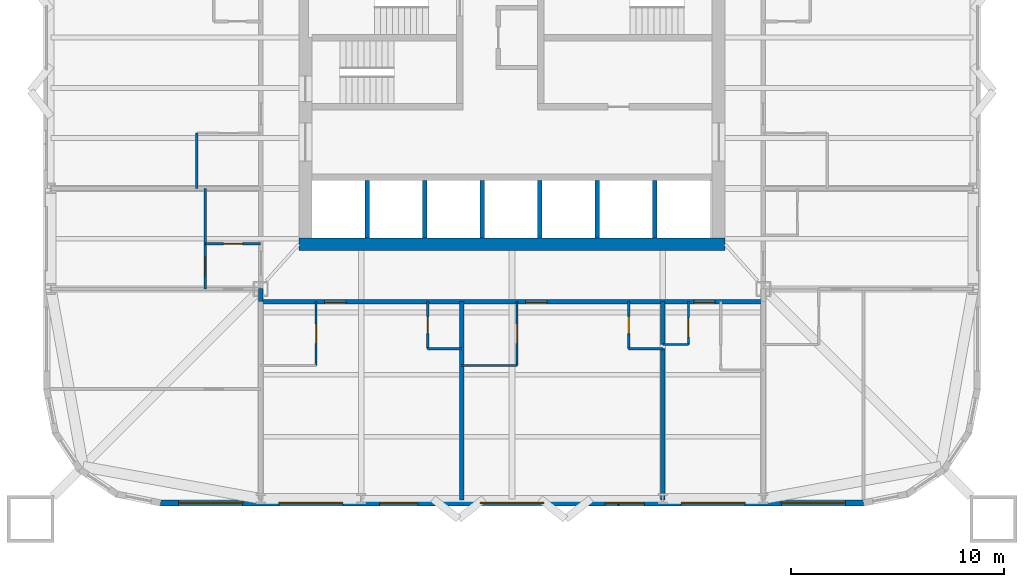
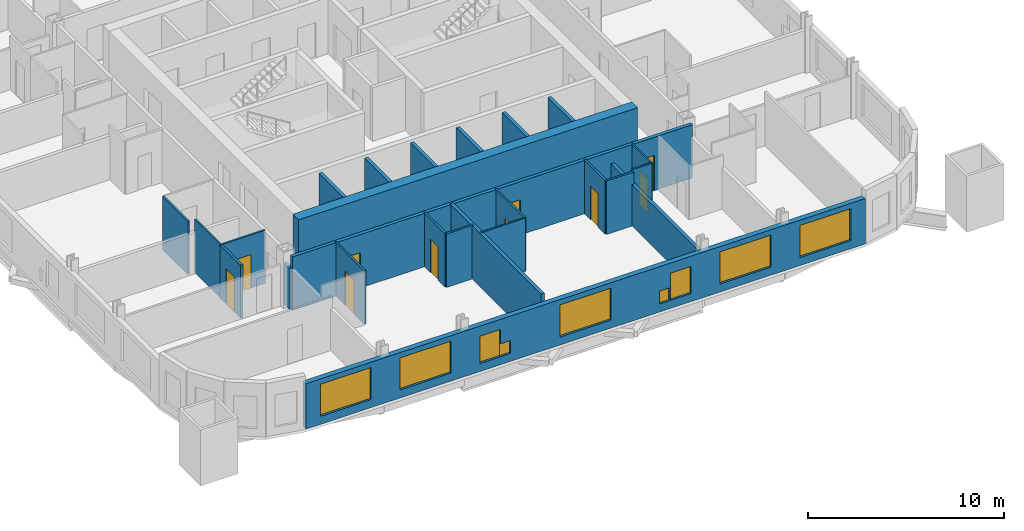
# One storey, part 3 of 10: 26 walls, 10 doors, 9 windows, 19 openings.
"""IFC4 building model written with IfcOpenShell, lengths in metres."""

from ifc_helpers import new_model, si_unit, direction, frame, frame_2d, origin, place, context, subcontext, project, spatial, rectangle, extrude, material, layer, layer_set, type_object, element, fill, save


model = new_model("IFC4")

# Units and contexts
model_context = context("Model", 3, precision=1e-05, world=origin(), true_north=direction((0.0, 1.0)))
body_context = subcontext(model_context, "Body", "Model", "MODEL_VIEW")
ifc_project = project(units=[si_unit("LENGTHUNIT", "METRE"), si_unit("AREAUNIT", "SQUARE_METRE"), si_unit("VOLUMEUNIT", "CUBIC_METRE"), si_unit("PLANEANGLEUNIT", "RADIAN"), si_unit("MASSUNIT", "GRAM", prefix="KILO")], contexts=[model_context])

# Site, building, storey
site_placement = place(None, origin())
site = spatial("IfcSite", under=ifc_project, at=site_placement, CompositionType="ELEMENT")
building_placement = place(site_placement, origin())
building = spatial("IfcBuilding", under=site, at=building_placement, Name="Turquesa Mirador Hotel Tower", CompositionType="ELEMENT")
storey_placement = place(building_placement, frame((0.0, 0.0, 60.0)))
storey = spatial("IfcBuildingStorey", under=building, at=storey_placement, Name="L15", CompositionType="ELEMENT", Elevation=60.0)

# Walls
ifc_material_1 = material(Name="Gypsum board on steel studs", Category="steel")
ifc_layer_1 = layer(ifc_material_1, 0.10009765625)
ifc_layer_set_1 = layer_set([ifc_layer_1], Name="BATHROOM WALL 100")
wall_type_1 = type_object("IfcWallType", Name="BATHROOM WALL 100", PredefinedType="PARTITIONING", material=ifc_layer_set_1)
wall_1_placement = place(storey_placement, frame((62.080078125, 30.60009765625, 0.0), z_axis=(0.0, 0.0, 1.0), x_axis=(1.0, 0.0, 0.0)))
element("IfcWall", 1, at=wall_1_placement, inside=storey, type_object=wall_type_1, Name="Partition L15 005", PredefinedType="PARTITIONING", context=body_context, shape_type="SweptSolid", body=[
    extrude(rectangle(XDim=1.199951171875, YDim=0.10009765625, at=frame_2d((0.60009765625, 0.0))), origin(), (0.0, 0.0, 1.0), 3.330078125),
])
wall_2_placement = place(storey_placement, frame((52.639892578125, 29.60009765625, 0.0), z_axis=(0.0, 0.0, 1.0), x_axis=(1.0, 0.0, 0.0)))
element("IfcWall", 2, at=wall_2_placement, inside=storey, type_object=wall_type_1, Name="Partition L15 010", PredefinedType="PARTITIONING", context=body_context, shape_type="SweptSolid", body=[
    extrude(rectangle(XDim=2.60009765625, YDim=0.10009765625, at=frame_2d((1.300048828125, 0.0))), origin(), (0.0, 0.0, 1.0), 3.330078125),
])

# Wall, opening, door
wall_3_placement = place(storey_placement, frame((40.60009765625, 35.320068359375, 0.0), z_axis=(0.0, 0.0, 1.0), x_axis=(1.0, 0.0, 0.0)))
wall_3 = element("IfcWall", 3, at=wall_3_placement, inside=storey, type_object=wall_type_1, Name="Partition L15 018", PredefinedType="PARTITIONING", context=body_context, shape_type="SweptSolid", body=[
    extrude(rectangle(XDim=2.599853515625, YDim=0.10009765625, at=frame_2d((1.2998046875, 0.0))), origin(), (0.0, 0.0, 1.0), 3.330078125),
])
opening_1_placement = place(wall_3_placement, frame((0.85009765625, 0.0, 0.0)))
opening_1 = element("IfcOpeningElement", 4, at=opening_1_placement, cuts=wall_3, Name="Opening D02", PredefinedType="OPENING", context=body_context, shape_type="SweptSolid", body=[
    extrude(rectangle(XDim=0.89990234375, YDim=2.10009765625, at=frame_2d((0.449951171875, 1.050048828125))), frame((0.0, 0.06005859375, 0.0), z_axis=(0.0, -1.0, 0.0), x_axis=(1.0, 0.0, 0.0)), (0.0, 0.0, 1.0), 0.1201171875),
])
ifc_material_2 = material(Name="Timber veneered door", Category="wood")
door_type_1 = type_object("IfcDoorType", Name="DOOR 900X2100 EN-SUITE", OperationType="SINGLE_SWING_RIGHT", PredefinedType="DOOR", material=ifc_material_2)
door_1_placement = place(opening_1_placement, origin())
door_1 = element("IfcDoor", 5, at=door_1_placement, inside=storey, type_object=door_type_1, Name="Door 1512B", OperationType="SINGLE_SWING_RIGHT", OverallHeight=2.10009765625, OverallWidth=0.89990234375, PredefinedType="DOOR", context=body_context, shape_type="SweptSolid", body=[
    extrude(rectangle(XDim=0.89990234375, YDim=2.10009765625, at=frame_2d((0.449951171875, 1.050048828125))), frame((0.0, 0.02490234375, 0.0), z_axis=(0.0, -1.0, 0.0), x_axis=(1.0, 0.0, 0.0)), (0.0, 0.0, 1.0), 0.050048828125),
])
fill(opening_1, door_1)

# Walls
wall_4_placement = place(storey_placement, frame((40.60009765625, 35.320068359375, 0.0), z_axis=(0.0, 0.0, 1.0), x_axis=(0.0, 1.0, 0.0)))
element("IfcWall", 6, at=wall_4_placement, inside=storey, type_object=wall_type_1, Name="Partition L15 046", PredefinedType="PARTITIONING", context=body_context, shape_type="SweptSolid", body=[
    extrude(rectangle(XDim=2.599853515625, YDim=0.10009765625, at=frame_2d((1.2998046875, 0.0))), origin(), (0.0, 0.0, 1.0), 3.330078125),
])
wall_5_placement = place(storey_placement, frame((40.199951171875, 37.919921875, 0.0), z_axis=(0.0, 0.0, 1.0), x_axis=(0.0, 1.0, 0.0)))
element("IfcWall", 7, at=wall_5_placement, inside=storey, type_object=wall_type_1, Name="Partition L15 050", PredefinedType="PARTITIONING", context=body_context, shape_type="SweptSolid", body=[
    extrude(rectangle(XDim=2.60009765625, YDim=0.10009765625, at=frame_2d((1.300048828125, 0.0))), origin(), (0.0, 0.0, 1.0), 3.330078125),
])

# Wall, opening, door
wall_6_placement = place(storey_placement, frame((45.800048828125, 29.60009765625, 0.0), z_axis=(0.0, 0.0, 1.0), x_axis=(0.0, 1.0, 0.0)))
wall_6 = element("IfcWall", 8, at=wall_6_placement, inside=storey, type_object=wall_type_1, Name="Partition L15 055", PredefinedType="PARTITIONING", context=body_context, shape_type="SweptSolid", body=[
    extrude(rectangle(XDim=3.0, YDim=0.10009765625, at=frame_2d((1.5, 0.0))), origin(), (0.0, 0.0, 1.0), 3.330078125),
])
opening_2_placement = place(wall_6_placement, frame((1.050048828125, 0.0, 0.0)))
opening_2 = element("IfcOpeningElement", 9, at=opening_2_placement, cuts=wall_6, Name="Opening D02", PredefinedType="OPENING", context=body_context, shape_type="SweptSolid", body=[
    extrude(rectangle(XDim=0.89990234375, YDim=2.10009765625, at=frame_2d((0.449951171875, 1.050048828125))), frame((0.0, 0.06005859375, 0.0), z_axis=(0.0, -1.0, 0.0), x_axis=(1.0, 0.0, 0.0)), (0.0, 0.0, 1.0), 0.1201171875),
])
door_2_placement = place(opening_2_placement, origin())
door_2 = element("IfcDoor", 10, at=door_2_placement, inside=storey, type_object=door_type_1, Name="Door 1503B", OperationType="SINGLE_SWING_RIGHT", OverallHeight=2.10009765625, OverallWidth=0.89990234375, PredefinedType="DOOR", context=body_context, shape_type="SweptSolid", body=[
    extrude(rectangle(XDim=0.89990234375, YDim=2.10009765625, at=frame_2d((0.449951171875, 1.050048828125))), frame((0.0, 0.02490234375, 0.0), z_axis=(0.0, -1.0, 0.0), x_axis=(1.0, 0.0, 0.0)), (0.0, 0.0, 1.0), 0.050048828125),
])
fill(opening_2, door_2)

wall_7_placement = place(storey_placement, frame((55.239990234375, 29.60009765625, 0.0), z_axis=(0.0, 0.0, 1.0), x_axis=(0.0, 1.0, 0.0)))
wall_7 = element("IfcWall", 11, at=wall_7_placement, inside=storey, type_object=wall_type_1, Name="Partition L15 056", PredefinedType="PARTITIONING", context=body_context, shape_type="SweptSolid", body=[
    extrude(rectangle(XDim=3.0, YDim=0.10009765625, at=frame_2d((1.5, 0.0))), origin(), (0.0, 0.0, 1.0), 3.330078125),
])
opening_3_placement = place(wall_7_placement, frame((1.050048828125, 0.0, 0.0)))
opening_3 = element("IfcOpeningElement", 12, at=opening_3_placement, cuts=wall_7, Name="Opening D02", PredefinedType="OPENING", context=body_context, shape_type="SweptSolid", body=[
    extrude(rectangle(XDim=0.89990234375, YDim=2.10009765625, at=frame_2d((0.449951171875, 1.050048828125))), frame((0.0, 0.06005859375, 0.0), z_axis=(0.0, -1.0, 0.0), x_axis=(1.0, 0.0, 0.0)), (0.0, 0.0, 1.0), 0.1201171875),
])
door_3_placement = place(opening_3_placement, origin())
door_3 = element("IfcDoor", 13, at=door_3_placement, inside=storey, type_object=door_type_1, Name="Door 1504B", OperationType="SINGLE_SWING_RIGHT", OverallHeight=2.10009765625, OverallWidth=0.89990234375, PredefinedType="DOOR", context=body_context, shape_type="SweptSolid", body=[
    extrude(rectangle(XDim=0.89990234375, YDim=2.10009765625, at=frame_2d((0.449951171875, 1.050048828125))), frame((0.0, 0.02490234375, 0.0), z_axis=(0.0, -1.0, 0.0), x_axis=(1.0, 0.0, 0.0)), (0.0, 0.0, 1.0), 0.050048828125),
])
fill(opening_3, door_3)

wall_8_placement = place(storey_placement, frame((63.280029296875, 30.60009765625, 0.0), z_axis=(0.0, 0.0, 1.0), x_axis=(0.0, 1.0, 0.0)))
wall_8 = element("IfcWall", 14, at=wall_8_placement, inside=storey, type_object=wall_type_1, Name="Partition L15 075", PredefinedType="PARTITIONING", context=body_context, shape_type="SweptSolid", body=[
    extrude(rectangle(XDim=2.0, YDim=0.10009765625, at=frame_2d((1.0, 0.0))), origin(), (0.0, 0.0, 1.0), 3.330078125),
])
opening_4_placement = place(wall_8_placement, frame((0.35009765625, 0.0, 0.0)))
opening_4 = element("IfcOpeningElement", 15, at=opening_4_placement, cuts=wall_8, Name="Opening D06", PredefinedType="OPENING", context=body_context, shape_type="SweptSolid", body=[
    extrude(rectangle(XDim=0.89990234375, YDim=2.10009765625, at=frame_2d((0.449951171875, 1.050048828125))), frame((0.0, 0.06005859375, 0.0), z_axis=(0.0, -1.0, 0.0), x_axis=(1.0, 0.0, 0.0)), (0.0, 0.0, 1.0), 0.1201171875),
])
ifc_material_3 = material(Name="Laminate door", Category="wood")
door_type_2 = type_object("IfcDoorType", Name="DOOR 900X2100 WC", OperationType="SINGLE_SWING_LEFT", PredefinedType="DOOR", material=ifc_material_3)
door_4_placement = place(opening_4_placement, origin())
door_4 = element("IfcDoor", 16, at=door_4_placement, inside=storey, type_object=door_type_2, Name="Door 1505W", OperationType="SINGLE_SWING_LEFT", OverallHeight=2.10009765625, OverallWidth=0.89990234375, PredefinedType="DOOR", context=body_context, shape_type="SweptSolid", body=[
    extrude(rectangle(XDim=0.89990234375, YDim=2.10009765625, at=frame_2d((0.449951171875, 1.050048828125))), frame((0.0, 0.02490234375, 0.0), z_axis=(0.0, -1.0, 0.0), x_axis=(1.0, 0.0, 0.0)), (0.0, 0.0, 1.0), 0.050048828125),
])
fill(opening_4, door_4)

# Wall
ifc_material_4 = material(Name="Concrete C50/60", Category="concrete")
ifc_layer_2 = layer(ifc_material_4, 0.60009765625)
ifc_layer_set_2 = layer_set([ifc_layer_2], Name="CORE WALL 600")
wall_type_2 = type_object("IfcWallType", Name="CORE WALL 600", PredefinedType="SHEAR", material=ifc_layer_set_2)
wall_9_placement = place(storey_placement, frame((45.0, 35.300048828125, 0.0), z_axis=(0.0, 0.0, 1.0), x_axis=(1.0, 0.0, 0.0)))
element("IfcWall", 17, at=wall_9_placement, inside=storey, type_object=wall_type_2, Name="Core wall S", PredefinedType="SHEAR", context=body_context, shape_type="SweptSolid", body=[
    extrude(rectangle(XDim=20.0, YDim=0.60009765625, at=frame_2d((10.0, 0.0))), origin(), (0.0, 0.0, 1.0), 3.5),
])

# Wall, openings, doors
ifc_material_5 = material(Name="Fire-rated gypsum board on steel studs", Category="steel")
ifc_layer_3 = layer(ifc_material_5, 0.199951171875)
ifc_layer_set_3 = layer_set([ifc_layer_3], Name="CORRIDOR WALL 200")
wall_type_3 = type_object("IfcWallType", Name="CORRIDOR WALL 200", PredefinedType="PARTITIONING", material=ifc_layer_set_3)
wall_10_placement = place(storey_placement, frame((43.199951171875, 32.60009765625, 0.0), z_axis=(0.0, 0.0, 1.0), x_axis=(1.0, 0.0, 0.0)))
wall_10 = element("IfcWall", 18, at=wall_10_placement, inside=storey, type_object=wall_type_3, Name="Partition L15 004", PredefinedType="PARTITIONING", context=body_context, shape_type="SweptSolid", body=[
    extrude(rectangle(XDim=23.60009765625, YDim=0.199951171875, at=frame_2d((11.800048828125, 0.0))), origin(), (0.0, 0.0, 1.0), 3.330078125),
])
opening_5_placement = place(wall_10_placement, frame((3.0, 0.0, 0.0)))
opening_5 = element("IfcOpeningElement", 19, at=opening_5_placement, cuts=wall_10, Name="Opening D01", PredefinedType="OPENING", context=body_context, shape_type="SweptSolid", body=[
    extrude(rectangle(XDim=1.0, YDim=2.199951171875, at=frame_2d((0.5, 1.10009765625))), frame((0.0, 0.10986328125, 0.0), z_axis=(0.0, -1.0, 0.0), x_axis=(1.0, 0.0, 0.0)), (0.0, 0.0, 1.0), 0.219970703125),
])
opening_6_placement = place(wall_10_placement, frame((12.43994140625, 0.0, 0.0)))
opening_6 = element("IfcOpeningElement", 20, at=opening_6_placement, cuts=wall_10, Name="Opening D01", PredefinedType="OPENING", context=body_context, shape_type="SweptSolid", body=[
    extrude(rectangle(XDim=1.0, YDim=2.199951171875, at=frame_2d((0.5, 1.10009765625))), frame((0.0, 0.10986328125, 0.0), z_axis=(0.0, -1.0, 0.0), x_axis=(1.0, 0.0, 0.0)), (0.0, 0.0, 1.0), 0.219970703125),
])
opening_7_placement = place(wall_10_placement, frame((20.340087890625, 0.0, 0.0)))
opening_7 = element("IfcOpeningElement", 21, at=opening_7_placement, cuts=wall_10, Name="Opening D01", PredefinedType="OPENING", context=body_context, shape_type="SweptSolid", body=[
    extrude(rectangle(XDim=1.0, YDim=2.199951171875, at=frame_2d((0.5, 1.10009765625))), frame((0.0, 0.10986328125, 0.0), z_axis=(0.0, -1.0, 0.0), x_axis=(1.0, 0.0, 0.0)), (0.0, 0.0, 1.0), 0.219970703125),
])
ifc_material_6 = material(Name="Timber veneered fire door", Category="wood")
door_type_3 = type_object("IfcDoorType", Name="DOOR 1000X2200 GUEST ENTRY", OperationType="SINGLE_SWING_LEFT", PredefinedType="DOOR", material=ifc_material_6)
door_5_placement = place(opening_5_placement, origin())
door_5 = element("IfcDoor", 22, at=door_5_placement, inside=storey, type_object=door_type_3, Name="Door 1503", OperationType="SINGLE_SWING_LEFT", OverallHeight=2.199951171875, OverallWidth=1.0, PredefinedType="DOOR", context=body_context, shape_type="SweptSolid", body=[
    extrude(rectangle(XDim=1.0, YDim=2.199951171875, at=frame_2d((0.5, 1.10009765625))), frame((0.0, 0.02490234375, 0.0), z_axis=(0.0, -1.0, 0.0), x_axis=(1.0, 0.0, 0.0)), (0.0, 0.0, 1.0), 0.050048828125),
])
fill(opening_5, door_5)
door_6_placement = place(opening_6_placement, origin())
door_6 = element("IfcDoor", 23, at=door_6_placement, inside=storey, type_object=door_type_3, Name="Door 1504", OperationType="SINGLE_SWING_LEFT", OverallHeight=2.199951171875, OverallWidth=1.0, PredefinedType="DOOR", context=body_context, shape_type="SweptSolid", body=[
    extrude(rectangle(XDim=1.0, YDim=2.199951171875, at=frame_2d((0.5, 1.10009765625))), frame((0.0, 0.02490234375, 0.0), z_axis=(0.0, -1.0, 0.0), x_axis=(1.0, 0.0, 0.0)), (0.0, 0.0, 1.0), 0.050048828125),
])
fill(opening_6, door_6)
door_7_placement = place(opening_7_placement, origin())
door_7 = element("IfcDoor", 24, at=door_7_placement, inside=storey, type_object=door_type_3, Name="Door 1505", OperationType="SINGLE_SWING_LEFT", OverallHeight=2.199951171875, OverallWidth=1.0, PredefinedType="DOOR", context=body_context, shape_type="SweptSolid", body=[
    extrude(rectangle(XDim=1.0, YDim=2.199951171875, at=frame_2d((0.5, 1.10009765625))), frame((0.0, 0.02490234375, 0.0), z_axis=(0.0, -1.0, 0.0), x_axis=(1.0, 0.0, 0.0)), (0.0, 0.0, 1.0), 0.050048828125),
])
fill(opening_7, door_7)

# Wall
wall_11_placement = place(storey_placement, frame((43.199951171875, 32.60009765625, 0.0), z_axis=(0.0, 0.0, 1.0), x_axis=(0.0, 1.0, 0.0)))
element("IfcWall", 25, at=wall_11_placement, inside=storey, type_object=wall_type_3, Name="Partition L15 077", PredefinedType="PARTITIONING", context=body_context, shape_type="SweptSolid", body=[
    extrude(rectangle(XDim=0.619873046875, YDim=0.199951171875, at=frame_2d((0.31005859375, 0.0))), origin(), (0.0, 0.0, 1.0), 2.572998046875),
])

# Wall, openings, windows
ifc_material_7 = material(Name="Limestone cladding on concrete block", Category="masonry")
ifc_layer_4 = layer(ifc_material_7, 0.300048828125)
ifc_layer_set_4 = layer_set([ifc_layer_4], Name="FACADE WALL 300 STONE SCREEN")
wall_type_4 = type_object("IfcWallType", Name="FACADE WALL 300 STONE SCREEN", PredefinedType="SOLIDWALL", material=ifc_layer_set_4)
wall_12_placement = place(storey_placement, frame((38.5, 23.14990234375, 0.0), z_axis=(0.0, 0.0, 1.0), x_axis=(1.0, 0.0, 0.0)))
wall_12 = element("IfcWall", 26, at=wall_12_placement, inside=storey, type_object=wall_type_4, Name="Facade wall L15 19", PredefinedType="SOLIDWALL", context=body_context, shape_type="SweptSolid", body=[
    extrude(rectangle(XDim=33.0, YDim=0.300048828125, at=frame_2d((16.5, 0.0))), origin(), (0.0, 0.0, 1.0), 2.830078125),
])
opening_8_placement = place(wall_12_placement, frame((0.85009765625, 0.0, 0.5)))
opening_8 = element("IfcOpeningElement", 27, at=opening_8_placement, cuts=wall_12, Name="Opening WN1", PredefinedType="OPENING", context=body_context, shape_type="SweptSolid", body=[
    extrude(rectangle(XDim=3.0, YDim=2.0, at=frame_2d((1.5, 1.0))), frame((0.0, 0.159912109375, 0.0), z_axis=(0.0, -1.0, 0.0), x_axis=(1.0, 0.0, 0.0)), (0.0, 0.0, 1.0), 0.320068359375),
])
opening_9_placement = place(wall_12_placement, frame((5.56005859375, 0.0, 0.5)))
opening_9 = element("IfcOpeningElement", 28, at=opening_9_placement, cuts=wall_12, Name="Opening WN1", PredefinedType="OPENING", context=body_context, shape_type="SweptSolid", body=[
    extrude(rectangle(XDim=3.0, YDim=2.0, at=frame_2d((1.5, 1.0))), frame((0.0, 0.159912109375, 0.0), z_axis=(0.0, -1.0, 0.0), x_axis=(1.0, 0.0, 0.0)), (0.0, 0.0, 1.0), 0.320068359375),
])
opening_10_placement = place(wall_12_placement, frame((10.280029296875, 0.0, 0.5)))
opening_10 = element("IfcOpeningElement", 29, at=opening_10_placement, cuts=wall_12, Name="Opening WN40", PredefinedType="OPENING", context=body_context, shape_type="SweptSolid", body=[
    extrude(rectangle(XDim=1.199951171875, YDim=1.699951171875, at=frame_2d((0.60009765625, 0.85009765625))), frame((0.0, 0.159912109375, 0.0), z_axis=(0.0, -1.0, 0.0), x_axis=(1.0, 0.0, 0.0)), (0.0, 0.0, 1.0), 0.320068359375),
])
opening_11_placement = place(wall_12_placement, frame((15.0, 0.0, 0.5)))
opening_11 = element("IfcOpeningElement", 30, at=opening_11_placement, cuts=wall_12, Name="Opening WN1", PredefinedType="OPENING", context=body_context, shape_type="SweptSolid", body=[
    extrude(rectangle(XDim=3.0, YDim=2.0, at=frame_2d((1.5, 1.0))), frame((0.0, 0.159912109375, 0.0), z_axis=(0.0, -1.0, 0.0), x_axis=(1.0, 0.0, 0.0)), (0.0, 0.0, 1.0), 0.320068359375),
])
opening_12_placement = place(wall_12_placement, frame((21.52001953125, 0.0, 0.5)))
opening_12 = element("IfcOpeningElement", 31, at=opening_12_placement, cuts=wall_12, Name="Opening WN40", PredefinedType="OPENING", context=body_context, shape_type="SweptSolid", body=[
    extrude(rectangle(XDim=1.199951171875, YDim=1.699951171875, at=frame_2d((0.60009765625, 0.85009765625))), frame((0.0, 0.159912109375, 0.0), z_axis=(0.0, -1.0, 0.0), x_axis=(1.0, 0.0, 0.0)), (0.0, 0.0, 1.0), 0.320068359375),
])
opening_13_placement = place(wall_12_placement, frame((24.43994140625, 0.0, 0.5)))
opening_13 = element("IfcOpeningElement", 32, at=opening_13_placement, cuts=wall_12, Name="Opening WN1", PredefinedType="OPENING", context=body_context, shape_type="SweptSolid", body=[
    extrude(rectangle(XDim=3.0, YDim=2.0, at=frame_2d((1.5, 1.0))), frame((0.0, 0.159912109375, 0.0), z_axis=(0.0, -1.0, 0.0), x_axis=(1.0, 0.0, 0.0)), (0.0, 0.0, 1.0), 0.320068359375),
])
opening_14_placement = place(wall_12_placement, frame((29.14990234375, 0.0, 0.5)))
opening_14 = element("IfcOpeningElement", 33, at=opening_14_placement, cuts=wall_12, Name="Opening WN1", PredefinedType="OPENING", context=body_context, shape_type="SweptSolid", body=[
    extrude(rectangle(XDim=3.0, YDim=2.0, at=frame_2d((1.5, 1.0))), frame((0.0, 0.159912109375, 0.0), z_axis=(0.0, -1.0, 0.0), x_axis=(1.0, 0.0, 0.0)), (0.0, 0.0, 1.0), 0.320068359375),
])
opening_15_placement = place(wall_12_placement, frame((11.47998046875, 0.0, 0.5)))
opening_15 = element("IfcOpeningElement", 34, at=opening_15_placement, cuts=wall_12, Name="Opening WN28", PredefinedType="OPENING", context=body_context, shape_type="SweptSolid", body=[
    extrude(rectangle(XDim=0.60009765625, YDim=0.800048828125, at=frame_2d((0.300048828125, 0.39990234375))), frame((0.0, 0.159912109375, 0.0), z_axis=(0.0, -1.0, 0.0), x_axis=(1.0, 0.0, 0.0)), (0.0, 0.0, 1.0), 0.320068359375),
])
opening_16_placement = place(wall_12_placement, frame((20.8701171875, 0.0, 0.5)))
opening_16 = element("IfcOpeningElement", 35, at=opening_16_placement, cuts=wall_12, Name="Opening WN28", PredefinedType="OPENING", context=body_context, shape_type="SweptSolid", body=[
    extrude(rectangle(XDim=0.60009765625, YDim=0.800048828125, at=frame_2d((0.300048828125, 0.39990234375))), frame((0.0, 0.159912109375, 0.0), z_axis=(0.0, -1.0, 0.0), x_axis=(1.0, 0.0, 0.0)), (0.0, 0.0, 1.0), 0.320068359375),
])
ifc_material_8 = material(Name="Ceramic-fritted laminated glass", Category="glass")
window_type_1 = type_object("IfcWindowType", Name="FRITTED WINDOW 1200X1700", PartitioningType="DOUBLE_PANEL_HORIZONTAL", PredefinedType="WINDOW", material=ifc_material_8)
window_1_placement = place(opening_10_placement, origin())
window_1 = element("IfcWindow", 36, at=window_1_placement, inside=storey, type_object=window_type_1, Name="Window L15", OverallHeight=1.699951171875, OverallWidth=1.199951171875, PartitioningType="SINGLE_PANEL", PredefinedType="WINDOW", context=body_context, shape_type="SweptSolid", body=[
    extrude(rectangle(XDim=1.199951171875, YDim=1.699951171875, at=frame_2d((0.60009765625, 0.85009765625))), frame((0.0, 0.030029296875, 0.0), z_axis=(0.0, -1.0, 0.0), x_axis=(1.0, 0.0, 0.0)), (0.0, 0.0, 1.0), 0.06005859375),
])
fill(opening_10, window_1)
window_2_placement = place(opening_12_placement, origin())
window_2 = element("IfcWindow", 37, at=window_2_placement, inside=storey, type_object=window_type_1, Name="Window L15", OverallHeight=1.699951171875, OverallWidth=1.199951171875, PartitioningType="SINGLE_PANEL", PredefinedType="WINDOW", context=body_context, shape_type="SweptSolid", body=[
    extrude(rectangle(XDim=1.199951171875, YDim=1.699951171875, at=frame_2d((0.60009765625, 0.85009765625))), frame((0.0, 0.030029296875, 0.0), z_axis=(0.0, -1.0, 0.0), x_axis=(1.0, 0.0, 0.0)), (0.0, 0.0, 1.0), 0.06005859375),
])
fill(opening_12, window_2)
ifc_material_9 = material(Name="Ceramic-fritted laminated glass", Category="glass")
window_type_2 = type_object("IfcWindowType", Name="FRITTED WINDOW 3000X2000", PartitioningType="DOUBLE_PANEL_HORIZONTAL", PredefinedType="WINDOW", material=ifc_material_9)
window_3_placement = place(opening_8_placement, origin())
window_3 = element("IfcWindow", 38, at=window_3_placement, inside=storey, type_object=window_type_2, Name="Window L15", OverallHeight=2.0, OverallWidth=3.0, PartitioningType="SINGLE_PANEL", PredefinedType="WINDOW", context=body_context, shape_type="SweptSolid", body=[
    extrude(rectangle(XDim=3.0, YDim=2.0, at=frame_2d((1.5, 1.0))), frame((0.0, 0.030029296875, 0.0), z_axis=(0.0, -1.0, 0.0), x_axis=(1.0, 0.0, 0.0)), (0.0, 0.0, 1.0), 0.06005859375),
])
fill(opening_8, window_3)
window_4_placement = place(opening_9_placement, origin())
window_4 = element("IfcWindow", 39, at=window_4_placement, inside=storey, type_object=window_type_2, Name="Window L15", OverallHeight=2.0, OverallWidth=3.0, PartitioningType="SINGLE_PANEL", PredefinedType="WINDOW", context=body_context, shape_type="SweptSolid", body=[
    extrude(rectangle(XDim=3.0, YDim=2.0, at=frame_2d((1.5, 1.0))), frame((0.0, 0.030029296875, 0.0), z_axis=(0.0, -1.0, 0.0), x_axis=(1.0, 0.0, 0.0)), (0.0, 0.0, 1.0), 0.06005859375),
])
fill(opening_9, window_4)
window_5_placement = place(opening_11_placement, origin())
window_5 = element("IfcWindow", 40, at=window_5_placement, inside=storey, type_object=window_type_2, Name="Window L15", OverallHeight=2.0, OverallWidth=3.0, PartitioningType="SINGLE_PANEL", PredefinedType="WINDOW", context=body_context, shape_type="SweptSolid", body=[
    extrude(rectangle(XDim=3.0, YDim=2.0, at=frame_2d((1.5, 1.0))), frame((0.0, 0.030029296875, 0.0), z_axis=(0.0, -1.0, 0.0), x_axis=(1.0, 0.0, 0.0)), (0.0, 0.0, 1.0), 0.06005859375),
])
fill(opening_11, window_5)
window_6_placement = place(opening_13_placement, origin())
window_6 = element("IfcWindow", 41, at=window_6_placement, inside=storey, type_object=window_type_2, Name="Window L15", OverallHeight=2.0, OverallWidth=3.0, PartitioningType="SINGLE_PANEL", PredefinedType="WINDOW", context=body_context, shape_type="SweptSolid", body=[
    extrude(rectangle(XDim=3.0, YDim=2.0, at=frame_2d((1.5, 1.0))), frame((0.0, 0.030029296875, 0.0), z_axis=(0.0, -1.0, 0.0), x_axis=(1.0, 0.0, 0.0)), (0.0, 0.0, 1.0), 0.06005859375),
])
fill(opening_13, window_6)
window_7_placement = place(opening_14_placement, origin())
window_7 = element("IfcWindow", 42, at=window_7_placement, inside=storey, type_object=window_type_2, Name="Window L15", OverallHeight=2.0, OverallWidth=3.0, PartitioningType="SINGLE_PANEL", PredefinedType="WINDOW", context=body_context, shape_type="SweptSolid", body=[
    extrude(rectangle(XDim=3.0, YDim=2.0, at=frame_2d((1.5, 1.0))), frame((0.0, 0.030029296875, 0.0), z_axis=(0.0, -1.0, 0.0), x_axis=(1.0, 0.0, 0.0)), (0.0, 0.0, 1.0), 0.06005859375),
])
fill(opening_14, window_7)
ifc_material_10 = material(Name="Ceramic-fritted laminated glass", Category="glass")
window_type_3 = type_object("IfcWindowType", Name="FRITTED WINDOW 600X800", PartitioningType="DOUBLE_PANEL_HORIZONTAL", PredefinedType="WINDOW", material=ifc_material_10)
window_8_placement = place(opening_15_placement, origin())
window_8 = element("IfcWindow", 43, at=window_8_placement, inside=storey, type_object=window_type_3, Name="Window L15", OverallHeight=0.800048828125, OverallWidth=0.60009765625, PartitioningType="SINGLE_PANEL", PredefinedType="WINDOW", context=body_context, shape_type="SweptSolid", body=[
    extrude(rectangle(XDim=0.60009765625, YDim=0.800048828125, at=frame_2d((0.300048828125, 0.39990234375))), frame((0.0, 0.030029296875, 0.0), z_axis=(0.0, -1.0, 0.0), x_axis=(1.0, 0.0, 0.0)), (0.0, 0.0, 1.0), 0.06005859375),
])
fill(opening_15, window_8)
window_9_placement = place(opening_16_placement, origin())
window_9 = element("IfcWindow", 44, at=window_9_placement, inside=storey, type_object=window_type_3, Name="Window L15", OverallHeight=0.800048828125, OverallWidth=0.60009765625, PartitioningType="SINGLE_PANEL", PredefinedType="WINDOW", context=body_context, shape_type="SweptSolid", body=[
    extrude(rectangle(XDim=0.60009765625, YDim=0.800048828125, at=frame_2d((0.300048828125, 0.39990234375))), frame((0.0, 0.030029296875, 0.0), z_axis=(0.0, -1.0, 0.0), x_axis=(1.0, 0.0, 0.0)), (0.0, 0.0, 1.0), 0.06005859375),
])
fill(opening_16, window_9)

# Walls
ifc_material_11 = material(Name="Fire-rated gypsum shaft wall on steel studs", Category="steel")
ifc_layer_5 = layer(ifc_material_11, 0.199951171875)
ifc_layer_set_5 = layer_set([ifc_layer_5], Name="LIFT SHAFT DIVIDER 200")
wall_type_5 = type_object("IfcWallType", Name="LIFT SHAFT DIVIDER 200", PredefinedType="PARTITIONING", material=ifc_layer_set_5)
for number, where, z_axis, x_axis, name in (
    (45, (48.199951171875, 35.60009765625, 0.0), (0.0, 0.0, 1.0), (0.0, 1.0, 0.0), "Lift shaft divider"),
    (46, (50.89990234375, 35.60009765625, 0.0), (0.0, 0.0, 1.0), (0.0, 1.0, 0.0), "Lift shaft divider"),
    (47, (53.60009765625, 35.60009765625, 0.0), (0.0, 0.0, 1.0), (0.0, 1.0, 0.0), "Lift shaft divider"),
    (48, (56.300048828125, 35.60009765625, 0.0), (0.0, 0.0, 1.0), (0.0, 1.0, 0.0), "Lift shaft divider"),
    (49, (59.0, 35.60009765625, 0.0), (0.0, 0.0, 1.0), (0.0, 1.0, 0.0), "Lift shaft divider"),
    (50, (61.699951171875, 35.60009765625, 0.0), (0.0, 0.0, 1.0), (0.0, 1.0, 0.0), "Lift shaft divider"),
):
    element("IfcWall", number, at=place(storey_placement, frame(where, z_axis=z_axis, x_axis=x_axis)), inside=storey, type_object=wall_type_5, Name=name, PredefinedType="PARTITIONING", context=body_context, shape_type="SweptSolid", body=[
        extrude(rectangle(XDim=2.699951171875, YDim=0.199951171875, at=frame_2d((1.35009765625, 0.0))), origin(), (0.0, 0.0, 1.0), 3.330078125),
    ])
ifc_material_12 = material(Name="Fire-rated gypsum board on steel studs", Category="steel")
ifc_layer_6 = layer(ifc_material_12, 0.199951171875)
ifc_layer_set_6 = layer_set([ifc_layer_6], Name="PARTY WALL 200")
wall_type_6 = type_object("IfcWallType", Name="PARTY WALL 200", PredefinedType="PARTITIONING", material=ifc_layer_set_6)
wall_13_placement = place(storey_placement, frame((52.639892578125, 23.300048828125, 0.0), z_axis=(0.0, 0.0, 1.0), x_axis=(0.0, 1.0, 0.0)))
element("IfcWall", 51, at=wall_13_placement, inside=storey, type_object=wall_type_6, Name="Partition L15 052", PredefinedType="PARTITIONING", context=body_context, shape_type="SweptSolid", body=[
    extrude(rectangle(XDim=9.300048828125, YDim=0.199951171875, at=frame_2d((4.64990234375, 0.0))), origin(), (0.0, 0.0, 1.0), 3.330078125),
])
wall_14_placement = place(storey_placement, frame((62.080078125, 23.300048828125, 0.0), z_axis=(0.0, 0.0, 1.0), x_axis=(0.0, 1.0, 0.0)))
element("IfcWall", 52, at=wall_14_placement, inside=storey, type_object=wall_type_6, Name="Partition L15 073", PredefinedType="PARTITIONING", context=body_context, shape_type="SweptSolid", body=[
    extrude(rectangle(XDim=7.099853515625, YDim=0.199951171875, at=frame_2d((3.5498046875, 0.0))), origin(), (0.0, 0.0, 1.0), 2.572998046875),
])
wall_15_placement = place(storey_placement, frame((62.080078125, 30.60009765625, 0.0), z_axis=(0.0, 0.0, 1.0), x_axis=(0.0, 1.0, 0.0)))
element("IfcWall", 53, at=wall_15_placement, inside=storey, type_object=wall_type_6, Name="Partition L15 074", PredefinedType="PARTITIONING", context=body_context, shape_type="SweptSolid", body=[
    extrude(rectangle(XDim=2.0, YDim=0.199951171875, at=frame_2d((1.0, 0.0))), origin(), (0.0, 0.0, 1.0), 2.572998046875),
])
ifc_material_13 = material(Name="Acoustic gypsum board on steel studs", Category="steel")
ifc_layer_7 = layer(ifc_material_13, 0.125)
ifc_layer_set_7 = layer_set([ifc_layer_7], Name="SUITE PARTITION 125")
wall_type_7 = type_object("IfcWallType", Name="SUITE PARTITION 125", PredefinedType="PARTITIONING", material=ifc_layer_set_7)
wall_16_placement = place(storey_placement, frame((51.0400390625, 30.39990234375, 0.0), z_axis=(0.0, 0.0, 1.0), x_axis=(1.0, 0.0, 0.0)))
element("IfcWall", 54, at=wall_16_placement, inside=storey, type_object=wall_type_7, Name="Partition L15 007", PredefinedType="PARTITIONING", context=body_context, shape_type="SweptSolid", body=[
    extrude(rectangle(XDim=1.599853515625, YDim=0.125, at=frame_2d((0.7998046875, 0.0))), origin(), (0.0, 0.0, 1.0), 3.330078125),
])
wall_17_placement = place(storey_placement, frame((60.47998046875, 30.39990234375, 0.0), z_axis=(0.0, 0.0, 1.0), x_axis=(1.0, 0.0, 0.0)))
element("IfcWall", 55, at=wall_17_placement, inside=storey, type_object=wall_type_7, Name="Partition L15 008", PredefinedType="PARTITIONING", context=body_context, shape_type="SweptSolid", body=[
    extrude(rectangle(XDim=1.60009765625, YDim=0.125, at=frame_2d((0.800048828125, 0.0))), origin(), (0.0, 0.0, 1.0), 3.330078125),
])

# Wall, opening, door
wall_18_placement = place(storey_placement, frame((40.60009765625, 33.199951171875, 0.0), z_axis=(0.0, 0.0, 1.0), x_axis=(0.0, 1.0, 0.0)))
wall_18 = element("IfcWall", 56, at=wall_18_placement, inside=storey, type_object=wall_type_7, Name="Partition L15 048", PredefinedType="PARTITIONING", context=body_context, shape_type="SweptSolid", body=[
    extrude(rectangle(XDim=2.1201171875, YDim=0.125, at=frame_2d((1.06005859375, 0.0))), origin(), (0.0, 0.0, 1.0), 3.330078125),
])
opening_17_placement = place(wall_18_placement, frame((0.610107421875, 0.0, 0.0)))
opening_17 = element("IfcOpeningElement", 57, at=opening_17_placement, cuts=wall_18, Name="Opening D17", PredefinedType="OPENING", context=body_context, shape_type="SweptSolid", body=[
    extrude(rectangle(XDim=0.89990234375, YDim=2.199951171875, at=frame_2d((0.449951171875, 1.10009765625))), frame((0.0, 0.072509765625, 0.0), z_axis=(0.0, -1.0, 0.0), x_axis=(1.0, 0.0, 0.0)), (0.0, 0.0, 1.0), 0.14501953125),
])
ifc_material_14 = material(Name="Timber veneered door", Category="wood")
door_type_4 = type_object("IfcDoorType", Name="DOOR 900X2200 SUITE INTERNAL", OperationType="SINGLE_SWING_LEFT", PredefinedType="DOOR", material=ifc_material_14)
door_8_placement = place(opening_17_placement, origin())
door_8 = element("IfcDoor", 58, at=door_8_placement, inside=storey, type_object=door_type_4, Name="Door 1512R", OperationType="SINGLE_SWING_LEFT", OverallHeight=2.199951171875, OverallWidth=0.89990234375, PredefinedType="DOOR", context=body_context, shape_type="SweptSolid", body=[
    extrude(rectangle(XDim=0.89990234375, YDim=2.199951171875, at=frame_2d((0.449951171875, 1.10009765625))), frame((0.0, 0.02490234375, 0.0), z_axis=(0.0, -1.0, 0.0), x_axis=(1.0, 0.0, 0.0)), (0.0, 0.0, 1.0), 0.050048828125),
])
fill(opening_17, door_8)

wall_19_placement = place(storey_placement, frame((51.0400390625, 30.39990234375, 0.0), z_axis=(0.0, 0.0, 1.0), x_axis=(0.0, 1.0, 0.0)))
wall_19 = element("IfcWall", 59, at=wall_19_placement, inside=storey, type_object=wall_type_7, Name="Partition L15 054", PredefinedType="PARTITIONING", context=body_context, shape_type="SweptSolid", body=[
    extrude(rectangle(XDim=2.2001953125, YDim=0.125, at=frame_2d((1.10009765625, 0.0))), origin(), (0.0, 0.0, 1.0), 3.330078125),
])
opening_18_placement = place(wall_19_placement, frame((0.699951171875, 0.0, 0.0)))
opening_18 = element("IfcOpeningElement", 60, at=opening_18_placement, cuts=wall_19, Name="Opening D20", PredefinedType="OPENING", context=body_context, shape_type="SweptSolid", body=[
    extrude(rectangle(XDim=0.800048828125, YDim=2.10009765625, at=frame_2d((0.39990234375, 1.050048828125))), frame((0.0, 0.072509765625, 0.0), z_axis=(0.0, -1.0, 0.0), x_axis=(1.0, 0.0, 0.0)), (0.0, 0.0, 1.0), 0.14501953125),
])
ifc_material_15 = material(Name="Timber veneered sliding door", Category="wood")
door_type_5 = type_object("IfcDoorType", Name="DOOR 800X2100 WARDROBE", OperationType="SLIDING_TO_LEFT", PredefinedType="DOOR", material=ifc_material_15)
door_9_placement = place(opening_18_placement, origin())
door_9 = element("IfcDoor", 61, at=door_9_placement, inside=storey, type_object=door_type_5, Name="Door 1503W", OperationType="SLIDING_TO_LEFT", OverallHeight=2.10009765625, OverallWidth=0.800048828125, PredefinedType="DOOR", context=body_context, shape_type="SweptSolid", body=[
    extrude(rectangle(XDim=0.800048828125, YDim=2.10009765625, at=frame_2d((0.39990234375, 1.050048828125))), frame((0.0, 0.02490234375, 0.0), z_axis=(0.0, -1.0, 0.0), x_axis=(1.0, 0.0, 0.0)), (0.0, 0.0, 1.0), 0.050048828125),
])
fill(opening_18, door_9)

wall_20_placement = place(storey_placement, frame((60.47998046875, 30.39990234375, 0.0), z_axis=(0.0, 0.0, 1.0), x_axis=(0.0, 1.0, 0.0)))
wall_20 = element("IfcWall", 62, at=wall_20_placement, inside=storey, type_object=wall_type_7, Name="Partition L15 072", PredefinedType="PARTITIONING", context=body_context, shape_type="SweptSolid", body=[
    extrude(rectangle(XDim=2.2001953125, YDim=0.125, at=frame_2d((1.10009765625, 0.0))), origin(), (0.0, 0.0, 1.0), 3.330078125),
])
opening_19_placement = place(wall_20_placement, frame((0.699951171875, 0.0, 0.0)))
opening_19 = element("IfcOpeningElement", 63, at=opening_19_placement, cuts=wall_20, Name="Opening D20", PredefinedType="OPENING", context=body_context, shape_type="SweptSolid", body=[
    extrude(rectangle(XDim=0.800048828125, YDim=2.10009765625, at=frame_2d((0.39990234375, 1.050048828125))), frame((0.0, 0.072509765625, 0.0), z_axis=(0.0, -1.0, 0.0), x_axis=(1.0, 0.0, 0.0)), (0.0, 0.0, 1.0), 0.14501953125),
])
door_10_placement = place(opening_19_placement, origin())
door_10 = element("IfcDoor", 64, at=door_10_placement, inside=storey, type_object=door_type_5, Name="Door 1504W", OperationType="SLIDING_TO_LEFT", OverallHeight=2.10009765625, OverallWidth=0.800048828125, PredefinedType="DOOR", context=body_context, shape_type="SweptSolid", body=[
    extrude(rectangle(XDim=0.800048828125, YDim=2.10009765625, at=frame_2d((0.39990234375, 1.050048828125))), frame((0.0, 0.02490234375, 0.0), z_axis=(0.0, -1.0, 0.0), x_axis=(1.0, 0.0, 0.0)), (0.0, 0.0, 1.0), 0.050048828125),
])
fill(opening_19, door_10)

save(model, "model.ifc")
